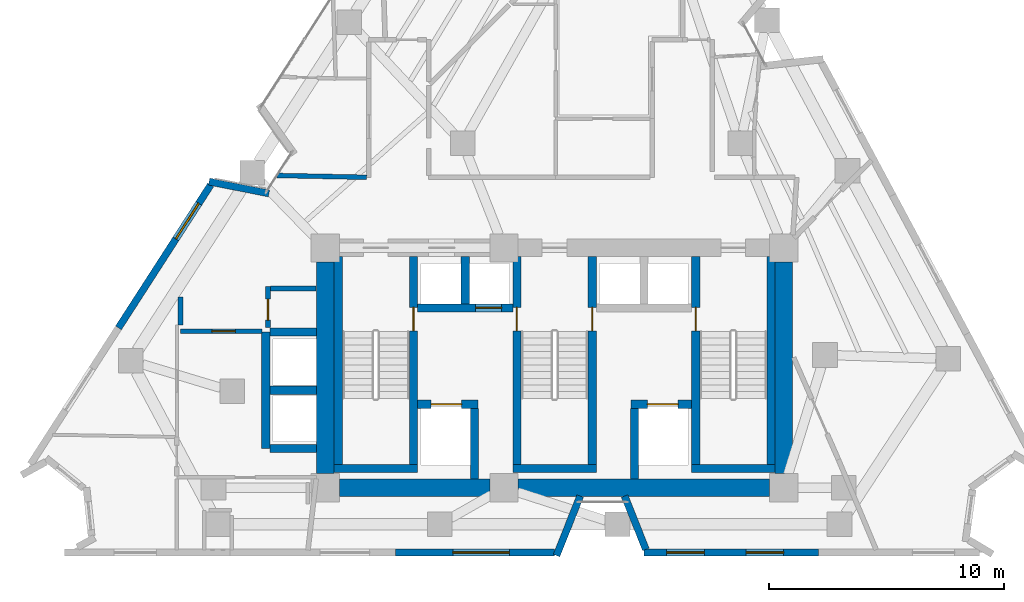
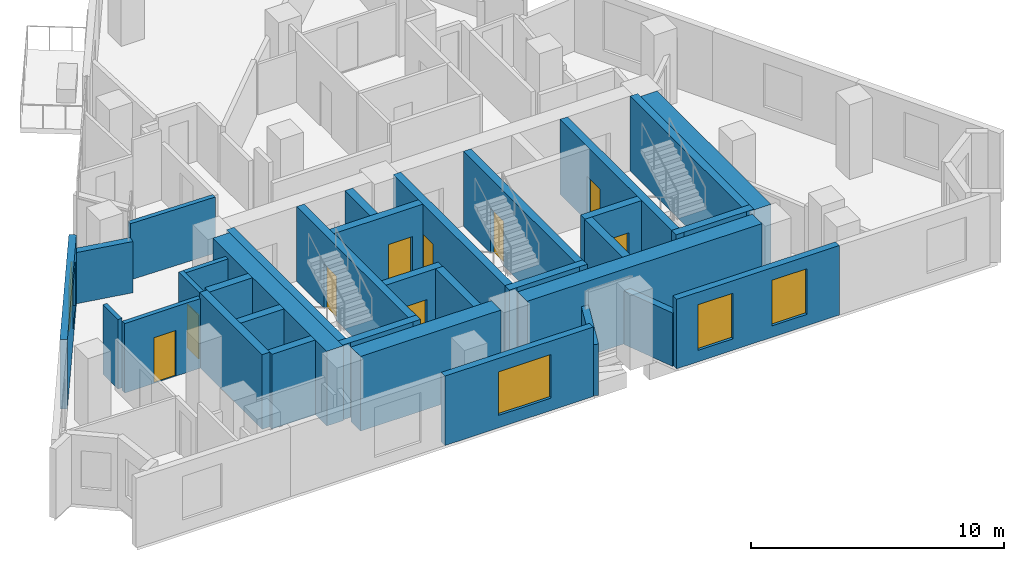
# One storey, part 6 of 10: 34 walls, 9 doors, 4 windows, 13 openings.
"""IFC4 building model written with IfcOpenShell, lengths in metres."""

from ifc_helpers import new_model, si_unit, direction, frame, frame_2d, origin, place, context, subcontext, project, spatial, rectangle, extrude, material, layer, layer_set, type_object, element, fill, save


model = new_model("IFC4")

# Units and contexts
model_context = context("Model", 3, precision=1e-05, world=origin(), true_north=direction((0.0, 1.0)))
body_context = subcontext(model_context, "Body", "Model", "MODEL_VIEW")
ifc_project = project(units=[si_unit("LENGTHUNIT", "METRE"), si_unit("AREAUNIT", "SQUARE_METRE"), si_unit("VOLUMEUNIT", "CUBIC_METRE"), si_unit("PLANEANGLEUNIT", "RADIAN"), si_unit("MASSUNIT", "GRAM", prefix="KILO")], contexts=[model_context])

# Site, building, storey
site_placement = place(None, origin())
site = spatial("IfcSite", under=ifc_project, at=site_placement, CompositionType="ELEMENT")
building_placement = place(site_placement, origin())
building = spatial("IfcBuilding", under=site, at=building_placement, Name="Almagre Mirador Tower", CompositionType="ELEMENT")
storey_placement = place(building_placement, frame((0.0, 0.0, 186.0)))
storey = spatial("IfcBuildingStorey", under=building, at=storey_placement, Name="L48", CompositionType="ELEMENT", Elevation=186.0)

# Wall
ifc_material_1 = material(Name="Precast concrete C50/60", Category="concrete")
ifc_layer_1 = layer(ifc_material_1, 0.300048828125)
ifc_layer_set_1 = layer_set([ifc_layer_1], Name="Precast concrete C50/60")
wall_type_1 = type_object("IfcWallType", Name="WAL-EXT-300", PredefinedType="SOLIDWALL", material=ifc_layer_set_1)
wall_1_placement = place(storey_placement, frame((22.615478515625, 17.568115234375, 0.0), z_axis=(0.0, 0.0, 1.0), x_axis=(0.981152058632, -0.193237257902, 0.0)))
element("IfcWall", 1, at=wall_1_placement, inside=storey, type_object=wall_type_1, Name="L48 expressed almagre precast frame wall 01", PredefinedType="SOLIDWALL", context=body_context, shape_type="SweptSolid", body=[
    extrude(rectangle(XDim=2.59375, YDim=0.300048828125, at=frame_2d((1.296875, 0.0))), origin(), (0.0, 0.0, 1.0), 2.468994140625),
])

# Wall, openings, windows
wall_2_placement = place(storey_placement, frame((48.51806640625, 1.800048828125, 0.0), z_axis=(0.0, 0.0, 1.0), x_axis=(-1.0, 0.0, 0.0)))
wall_2 = element("IfcWall", 2, at=wall_2_placement, inside=storey, type_object=wall_type_1, Name="L48 expressed almagre precast frame wall 21", PredefinedType="SOLIDWALL", context=body_context, shape_type="SweptSolid", body=[
    extrude(rectangle(XDim=7.422119140625, YDim=0.300048828125, at=frame_2d((3.7109375, 0.0))), origin(), (0.0, 0.0, 1.0), 3.35009765625),
])
opening_1_placement = place(wall_2_placement, frame((4.85009765625, 0.0, 0.550048828125)))
opening_1 = element("IfcOpeningElement", 3, at=opening_1_placement, cuts=wall_2, Name="Opening WN-06", PredefinedType="OPENING", context=body_context, shape_type="SweptSolid", body=[
    extrude(rectangle(XDim=1.60009765625, YDim=2.199951171875, at=frame_2d((0.800048828125, 1.10009765625))), frame((0.0, 0.159902, 0.0), z_axis=(0.0, -1.0, 0.0), x_axis=(1.0, 0.0, 0.0)), (0.0, 0.0, 1.0), 0.320049),
])
opening_2_placement = place(wall_2_placement, frame((1.47509765625, 0.0, 0.550048828125)))
opening_2 = element("IfcOpeningElement", 4, at=opening_2_placement, cuts=wall_2, Name="Opening WN-06", PredefinedType="OPENING", context=body_context, shape_type="SweptSolid", body=[
    extrude(rectangle(XDim=1.60009765625, YDim=2.199951171875, at=frame_2d((0.800048828125, 1.10009765625))), frame((0.0, 0.159902, 0.0), z_axis=(0.0, -1.0, 0.0), x_axis=(1.0, 0.0, 0.0)), (0.0, 0.0, 1.0), 0.320049),
])
ifc_material_2 = material(Name="Dark solar-control laminated hurricane glass", Category="glass")
window_type_1 = type_object("IfcWindowType", Name="WIN-1600X2200", PartitioningType="DOUBLE_PANEL_VERTICAL", PredefinedType="WINDOW", material=ifc_material_2)
window_1_placement = place(opening_1_placement, origin())
window_1 = element("IfcWindow", 5, at=window_1_placement, inside=storey, type_object=window_type_1, Name="L48 recessed hurricane window L48-UB-ST", OverallHeight=2.199951171875, OverallWidth=1.60009765625, PartitioningType="SINGLE_PANEL", PredefinedType="WINDOW", context=body_context, shape_type="SweptSolid", body=[
    extrude(rectangle(XDim=1.60009765625, YDim=2.199951171875, at=frame_2d((0.800048828125, 1.10009765625))), frame((0.0, 0.030029296875, 0.0), z_axis=(0.0, -1.0, 0.0), x_axis=(1.0, 0.0, 0.0)), (0.0, 0.0, 1.0), 0.06005859375),
])
fill(opening_1, window_1)
window_2_placement = place(opening_2_placement, origin())
window_2 = element("IfcWindow", 6, at=window_2_placement, inside=storey, type_object=window_type_1, Name="L48 recessed hurricane window L48-UB-KT", OverallHeight=2.199951171875, OverallWidth=1.60009765625, PartitioningType="SINGLE_PANEL", PredefinedType="WINDOW", context=body_context, shape_type="SweptSolid", body=[
    extrude(rectangle(XDim=1.60009765625, YDim=2.199951171875, at=frame_2d((0.800048828125, 1.10009765625))), frame((0.0, 0.030029296875, 0.0), z_axis=(0.0, -1.0, 0.0), x_axis=(1.0, 0.0, 0.0)), (0.0, 0.0, 1.0), 0.06005859375),
])
fill(opening_2, window_2)

# Walls
wall_3_placement = place(storey_placement, frame((41.18408203125, 1.93017578125, 0.0), z_axis=(0.0, 0.0, 1.0), x_axis=(-0.369476217581, 0.929240186734, 0.0)))
element("IfcWall", 7, at=wall_3_placement, inside=storey, type_object=wall_type_1, Name="L48 expressed almagre precast frame wall 22", PredefinedType="SOLIDWALL", context=body_context, shape_type="SweptSolid", body=[
    extrude(rectangle(XDim=2.441650390625, YDim=0.300048828125, at=frame_2d((1.220703125, 0.0))), origin(), (0.0, 0.0, 1.0), 2.574951171875),
])
wall_4_placement = place(storey_placement, frame((38.389892578125, 4.198974609375, 0.0), z_axis=(0.0, 0.0, 1.0), x_axis=(-0.369487569888, -0.929235672851, 0.0)))
element("IfcWall", 8, at=wall_4_placement, inside=storey, type_object=wall_type_1, Name="L48 expressed almagre precast frame wall 23", PredefinedType="SOLIDWALL", context=body_context, shape_type="SweptSolid", body=[
    extrude(rectangle(XDim=2.7216796875, YDim=0.300048828125, at=frame_2d((1.36083984375, 0.0))), origin(), (0.0, 0.0, 1.0), 2.468994140625),
])

# Wall, opening, window
wall_5_placement = place(storey_placement, frame((37.301025390625, 1.800048828125, 0.0), z_axis=(0.0, 0.0, 1.0), x_axis=(-1.0, 0.0, 0.0)))
wall_5 = element("IfcWall", 9, at=wall_5_placement, inside=storey, type_object=wall_type_1, Name="L48 expressed almagre precast frame wall 24", PredefinedType="SOLIDWALL", context=body_context, shape_type="SweptSolid", body=[
    extrude(rectangle(XDim=6.763671875, YDim=0.300048828125, at=frame_2d((3.3818359375, 0.0))), origin(), (0.0, 0.0, 1.0), 3.35009765625),
])
opening_3_placement = place(wall_5_placement, frame((1.925048828125, 0.0, 0.60009765625)))
opening_3 = element("IfcOpeningElement", 10, at=opening_3_placement, cuts=wall_5, Name="Opening WN-02", PredefinedType="OPENING", context=body_context, shape_type="SweptSolid", body=[
    extrude(rectangle(XDim=2.39990234375, YDim=2.10009765625, at=frame_2d((1.199951171875, 1.050048828125))), frame((0.0, 0.159902, 0.0), z_axis=(0.0, -1.0, 0.0), x_axis=(1.0, 0.0, 0.0)), (0.0, 0.0, 1.0), 0.320049),
])
ifc_material_3 = material(Name="Dark solar-control laminated hurricane glass", Category="glass")
window_type_2 = type_object("IfcWindowType", Name="WIN-2400X2100", PartitioningType="TRIPLE_PANEL_VERTICAL", PredefinedType="WINDOW", material=ifc_material_3)
window_3_placement = place(opening_3_placement, origin())
window_3 = element("IfcWindow", 11, at=window_3_placement, inside=storey, type_object=window_type_2, Name="L48 recessed hurricane window L48-UB-ST", OverallHeight=2.10009765625, OverallWidth=2.39990234375, PartitioningType="SINGLE_PANEL", PredefinedType="WINDOW", context=body_context, shape_type="SweptSolid", body=[
    extrude(rectangle(XDim=2.39990234375, YDim=2.10009765625, at=frame_2d((1.199951171875, 1.050048828125))), frame((0.0, 0.030029296875, 0.0), z_axis=(0.0, -1.0, 0.0), x_axis=(1.0, 0.0, 0.0)), (0.0, 0.0, 1.0), 0.06005859375),
])
fill(opening_3, window_3)

wall_6_placement = place(storey_placement, frame((18.760498046875, 11.35107421875, 0.0), z_axis=(0.0, 0.0, 1.0), x_axis=(0.542021503454, 0.840364617172, 0.0)))
wall_6 = element("IfcWall", 12, at=wall_6_placement, inside=storey, type_object=wall_type_1, Name="L48 expressed almagre precast frame wall 32", PredefinedType="SOLIDWALL", context=body_context, shape_type="SweptSolid", body=[
    extrude(rectangle(XDim=7.230712890625, YDim=0.300048828125, at=frame_2d((3.615234375, 0.0))), origin(), (0.0, 0.0, 1.0), 3.35009765625),
])
opening_4_placement = place(wall_6_placement, frame((4.5, 0.0, 0.60009765625)))
opening_4 = element("IfcOpeningElement", 13, at=opening_4_placement, cuts=wall_6, Name="Opening WN-01", PredefinedType="OPENING", context=body_context, shape_type="SweptSolid", body=[
    extrude(rectangle(XDim=1.800048828125, YDim=2.10009765625, at=frame_2d((0.89990234375, 1.050048828125))), frame((0.0, 0.159902, 0.0), z_axis=(0.0, -1.0, 0.0), x_axis=(1.0, 0.0, 0.0)), (0.0, 0.0, 1.0), 0.320049),
])
ifc_material_4 = material(Name="Dark solar-control laminated hurricane glass", Category="glass")
window_type_3 = type_object("IfcWindowType", Name="WIN-1800X2100", PartitioningType="DOUBLE_PANEL_VERTICAL", PredefinedType="WINDOW", material=ifc_material_4)
window_4_placement = place(opening_4_placement, origin())
window_4 = element("IfcWindow", 14, at=window_4_placement, inside=storey, type_object=window_type_3, Name="L48 recessed hurricane window L48-RCOR", OverallHeight=2.10009765625, OverallWidth=1.800048828125, PartitioningType="SINGLE_PANEL", PredefinedType="WINDOW", context=body_context, shape_type="SweptSolid", body=[
    extrude(rectangle(XDim=1.800048828125, YDim=2.10009765625, at=frame_2d((0.89990234375, 1.050048828125))), frame((0.0, 0.030029296875, 0.0), z_axis=(0.0, -1.0, 0.0), x_axis=(1.0, 0.0, 0.0)), (0.0, 0.0, 1.0), 0.06005859375),
])
fill(opening_4, window_4)

# Wall, opening, door
ifc_material_5 = material(Name="Gypsum acoustic stud partition", Category="other")
ifc_layer_2 = layer(ifc_material_5, 0.199951171875)
ifc_layer_set_2 = layer_set([ifc_layer_2], Name="Gypsum acoustic stud partition")
wall_type_2 = type_object("IfcWallType", Name="WAL-PRT-200-EI60", PredefinedType="PARTITIONING", material=ifc_layer_set_2)
wall_7_placement = place(storey_placement, frame((25.1201171875, 11.3701171875, 0.0), z_axis=(0.0, 0.0, 1.0), x_axis=(0.0, 1.0, 0.0)))
wall_7 = element("IfcWall", 15, at=wall_7_placement, inside=storey, type_object=wall_type_2, Name="L48 core ancillary west wall", PredefinedType="PARTITIONING", context=body_context, shape_type="SweptSolid", body=[
    extrude(rectangle(XDim=1.739990234375, YDim=0.199951171875, at=frame_2d((0.8701171875, 0.0))), origin(), (0.0, 0.0, 1.0), 3.35009765625),
])
opening_5_placement = place(wall_7_placement, frame((0.304931640625, 0.0, 0.0)))
opening_5 = element("IfcOpeningElement", 16, at=opening_5_placement, cuts=wall_7, Name="Opening ID-03", PredefinedType="OPENING", context=body_context, shape_type="SweptSolid", body=[
    extrude(rectangle(XDim=0.89990234375, YDim=2.10009765625, at=frame_2d((0.449951171875, 1.050048828125))), frame((0.0, 0.110098, 0.0), z_axis=(0.0, -1.0, 0.0), x_axis=(1.0, 0.0, 0.0)), (0.0, 0.0, 1.0), 0.219951),
])
ifc_material_6 = material(Name="Fire-rated hollow steel", Category="steel")
door_type_1 = type_object("IfcDoorType", Name="DOR-FD60-900X2100", OperationType="NOTDEFINED", PredefinedType="DOOR", material=ifc_material_6)
door_1_placement = place(opening_5_placement, origin())
door_1 = element("IfcDoor", 17, at=door_1_placement, inside=storey, type_object=door_type_1, Name="DR-1511 L48 core ancillary corridor door", OperationType="SINGLE_SWING_RIGHT", OverallHeight=2.10009765625, OverallWidth=0.89990234375, PredefinedType="DOOR", context=body_context, shape_type="SweptSolid", body=[
    extrude(rectangle(XDim=0.89990234375, YDim=2.10009765625, at=frame_2d((0.449951171875, 1.050048828125))), frame((0.0, 0.02490234375, 0.0), z_axis=(0.0, -1.0, 0.0), x_axis=(1.0, 0.0, 0.0)), (0.0, 0.0, 1.0), 0.050048828125),
])
fill(opening_5, door_1)

# Walls
wall_8_placement = place(storey_placement, frame((25.22509765625, 13.02001953125, 0.0), z_axis=(0.0, 0.0, 1.0), x_axis=(1.0, 0.0, 0.0)))
element("IfcWall", 18, at=wall_8_placement, inside=storey, type_object=wall_type_2, Name="L48 core ancillary north wall", PredefinedType="PARTITIONING", context=body_context, shape_type="SweptSolid", body=[
    extrude(rectangle(XDim=1.934814453125, YDim=0.199951171875, at=frame_2d((0.96728515625, 0.0))), origin(), (0.0, 0.0, 1.0), 3.35009765625),
])
wall_9_placement = place(storey_placement, frame((21.39990234375, 12.659912109375, 0.0), z_axis=(0.0, 0.0, 1.0), x_axis=(0.0, -1.0, 0.0)))
element("IfcWall", 19, at=wall_9_placement, inside=storey, type_object=wall_type_2, Name="L48 interior partition 001", PredefinedType="PARTITIONING", context=body_context, shape_type="SweptSolid", body=[
    extrude(rectangle(XDim=1.18994140625, YDim=0.199951171875, at=frame_2d((0.594970703125, 0.0))), origin(), (0.0, 0.0, 1.0), 3.35009765625),
])

# Wall, opening, door
wall_10_placement = place(storey_placement, frame((21.39990234375, 11.199951171875, 0.0), z_axis=(0.0, 0.0, 1.0), x_axis=(1.0, 0.0, 0.0)))
wall_10 = element("IfcWall", 20, at=wall_10_placement, inside=storey, type_object=wall_type_2, Name="L48 interior partition 002", PredefinedType="PARTITIONING", context=body_context, shape_type="SweptSolid", body=[
    extrude(rectangle(XDim=3.46923828125, YDim=0.199951171875, at=frame_2d((1.734619140625, 0.0))), origin(), (0.0, 0.0, 1.0), 3.35009765625),
])
opening_6_placement = place(wall_10_placement, frame((1.334716796875, 0.0, 0.0)))
opening_6 = element("IfcOpeningElement", 21, at=opening_6_placement, cuts=wall_10, Name="Opening ID-01", PredefinedType="OPENING", context=body_context, shape_type="SweptSolid", body=[
    extrude(rectangle(XDim=1.0, YDim=2.199951171875, at=frame_2d((0.5, 1.10009765625))), frame((0.0, 0.110098, 0.0), z_axis=(0.0, -1.0, 0.0), x_axis=(1.0, 0.0, 0.0)), (0.0, 0.0, 1.0), 0.219951),
])
ifc_material_7 = material(Name="Fire-rated walnut timber", Category="wood")
door_type_2 = type_object("IfcDoorType", Name="DOR-FD60-1000X2200", OperationType="NOTDEFINED", PredefinedType="DOOR", material=ifc_material_7)
door_2_placement = place(opening_6_placement, origin())
door_2 = element("IfcDoor", 22, at=door_2_placement, inside=storey, type_object=door_type_2, Name="DR-1517 L48 interior door L48-RCOR to L48-UA-LV", OperationType="SINGLE_SWING_LEFT", OverallHeight=2.199951171875, OverallWidth=1.0, PredefinedType="DOOR", context=body_context, shape_type="SweptSolid", body=[
    extrude(rectangle(XDim=1.0, YDim=2.199951171875, at=frame_2d((0.5, 1.10009765625))), frame((0.0, 0.02490234375, 0.0), z_axis=(0.0, -1.0, 0.0), x_axis=(1.0, 0.0, 0.0)), (0.0, 0.0, 1.0), 0.050048828125),
])
fill(opening_6, door_2)

# Walls
wall_11_placement = place(storey_placement, frame((29.31494140625, 17.751708984375, 0.0), z_axis=(0.0, 0.0, 1.0), x_axis=(-0.999794603853, 0.020266970803, 0.0)))
element("IfcWall", 23, at=wall_11_placement, inside=storey, type_object=wall_type_2, Name="L48 interior partition 004", PredefinedType="PARTITIONING", context=body_context, shape_type="SweptSolid", body=[
    extrude(rectangle(XDim=3.818603515625, YDim=0.199951171875, at=frame_2d((1.9091796875, 0.0))), origin(), (0.0, 0.0, 1.0), 2.708984375),
])
ifc_material_8 = material(Name="Concrete C60/75", Category="concrete")
ifc_layer_3 = layer(ifc_material_8, 0.35009765625)
ifc_layer_set_3 = layer_set([ifc_layer_3], Name="Concrete C60/75")
wall_type_3 = type_object("IfcWallType", Name="WAL-SHF-350", PredefinedType="SOLIDWALL", material=ifc_layer_set_3)
wall_12_placement = place(storey_placement, frame((28.10009765625, 5.199951171875, 0.0), z_axis=(0.0, 0.0, 1.0), x_axis=(0.0, 1.0, 0.0)))
element("IfcWall", 24, at=wall_12_placement, inside=storey, type_object=wall_type_3, Name="L48 shaft wall ST1-W", PredefinedType="SOLIDWALL", context=body_context, shape_type="SweptSolid", body=[
    extrude(rectangle(XDim=9.175048828125, YDim=0.35009765625, at=frame_2d((4.58740234375, 0.0))), origin(), (0.0, 0.0, 1.0), 3.60009765625),
])

# Wall, opening, door
wall_13_placement = place(storey_placement, frame((31.300048828125, 5.199951171875, 0.0), z_axis=(0.0, 0.0, 1.0), x_axis=(0.0, 1.0, 0.0)))
wall_13 = element("IfcWall", 25, at=wall_13_placement, inside=storey, type_object=wall_type_3, Name="L48 shaft wall ST1-E", PredefinedType="SOLIDWALL", context=body_context, shape_type="SweptSolid", body=[
    extrude(rectangle(XDim=9.175048828125, YDim=0.35009765625, at=frame_2d((4.58740234375, 0.0))), origin(), (0.0, 0.0, 1.0), 3.60009765625),
])
opening_7_placement = place(wall_13_placement, frame((6.02001953125, 0.0, 0.0)))
opening_7 = element("IfcOpeningElement", 26, at=opening_7_placement, cuts=wall_13, Name="Opening FD-01", PredefinedType="OPENING", context=body_context, shape_type="SweptSolid", body=[
    extrude(rectangle(XDim=1.0, YDim=2.14990234375, at=frame_2d((0.5, 1.074951171875))), frame((0.0, 0.185049, 0.0), z_axis=(0.0, -1.0, 0.0), x_axis=(1.0, 0.0, 0.0)), (0.0, 0.0, 1.0), 0.370098),
])
ifc_material_9 = material(Name="Fire-rated hollow steel", Category="steel")
door_type_3 = type_object("IfcDoorType", Name="DOR-FFL-1000X2150", OperationType="NOTDEFINED", PredefinedType="DOOR", material=ifc_material_9)
door_3_placement = place(opening_7_placement, origin())
door_3 = element("IfcDoor", 27, at=door_3_placement, inside=storey, type_object=door_type_3, Name="DR-1512 L48 FFL1-ST1 smokeproof door", OperationType="SINGLE_SWING_RIGHT", OverallHeight=2.14990234375, OverallWidth=1.0, PredefinedType="DOOR", context=body_context, shape_type="SweptSolid", body=[
    extrude(rectangle(XDim=1.0, YDim=2.14990234375, at=frame_2d((0.5, 1.074951171875))), frame((0.0, 0.02490234375, 0.0), z_axis=(0.0, -1.0, 0.0), x_axis=(1.0, 0.0, 0.0)), (0.0, 0.0, 1.0), 0.050048828125),
])
fill(opening_7, door_3)

# Wall
wall_14_placement = place(storey_placement, frame((27.925048828125, 5.375, 0.0), z_axis=(0.0, 0.0, 1.0), x_axis=(1.0, 0.0, 0.0)))
element("IfcWall", 28, at=wall_14_placement, inside=storey, type_object=wall_type_3, Name="L48 shaft wall ST1-S", PredefinedType="SOLIDWALL", context=body_context, shape_type="SweptSolid", body=[
    extrude(rectangle(XDim=3.550048828125, YDim=0.35009765625, at=frame_2d((1.77490234375, 0.0))), origin(), (0.0, 0.0, 1.0), 3.60009765625),
])

# Wall, opening, door
wall_15_placement = place(storey_placement, frame((35.699951171875, 5.199951171875, 0.0), z_axis=(0.0, 0.0, 1.0), x_axis=(0.0, 1.0, 0.0)))
wall_15 = element("IfcWall", 29, at=wall_15_placement, inside=storey, type_object=wall_type_3, Name="L48 shaft wall ST2-W", PredefinedType="SOLIDWALL", context=body_context, shape_type="SweptSolid", body=[
    extrude(rectangle(XDim=9.175048828125, YDim=0.35009765625, at=frame_2d((4.58740234375, 0.0))), origin(), (0.0, 0.0, 1.0), 3.60009765625),
])
opening_8_placement = place(wall_15_placement, frame((6.02001953125, 0.0, 0.0)))
opening_8 = element("IfcOpeningElement", 30, at=opening_8_placement, cuts=wall_15, Name="Opening FD-01", PredefinedType="OPENING", context=body_context, shape_type="SweptSolid", body=[
    extrude(rectangle(XDim=1.0, YDim=2.14990234375, at=frame_2d((0.5, 1.074951171875))), frame((0.0, 0.185049, 0.0), z_axis=(0.0, -1.0, 0.0), x_axis=(1.0, 0.0, 0.0)), (0.0, 0.0, 1.0), 0.370098),
])
door_4_placement = place(opening_8_placement, origin())
door_4 = element("IfcDoor", 31, at=door_4_placement, inside=storey, type_object=door_type_3, Name="DR-1513 L48 FFL1-ST2 smokeproof door", OperationType="SINGLE_SWING_LEFT", OverallHeight=2.14990234375, OverallWidth=1.0, PredefinedType="DOOR", context=body_context, shape_type="SweptSolid", body=[
    extrude(rectangle(XDim=1.0, YDim=2.14990234375, at=frame_2d((0.5, 1.074951171875))), frame((0.0, 0.02490234375, 0.0), z_axis=(0.0, -1.0, 0.0), x_axis=(1.0, 0.0, 0.0)), (0.0, 0.0, 1.0), 0.050048828125),
])
fill(opening_8, door_4)

wall_16_placement = place(storey_placement, frame((38.89990234375, 5.199951171875, 0.0), z_axis=(0.0, 0.0, 1.0), x_axis=(0.0, 1.0, 0.0)))
wall_16 = element("IfcWall", 32, at=wall_16_placement, inside=storey, type_object=wall_type_3, Name="L48 shaft wall ST2-E", PredefinedType="SOLIDWALL", context=body_context, shape_type="SweptSolid", body=[
    extrude(rectangle(XDim=9.175048828125, YDim=0.35009765625, at=frame_2d((4.58740234375, 0.0))), origin(), (0.0, 0.0, 1.0), 3.60009765625),
])
opening_9_placement = place(wall_16_placement, frame((6.02001953125, 0.0, 0.0)))
opening_9 = element("IfcOpeningElement", 33, at=opening_9_placement, cuts=wall_16, Name="Opening FD-01", PredefinedType="OPENING", context=body_context, shape_type="SweptSolid", body=[
    extrude(rectangle(XDim=1.0, YDim=2.14990234375, at=frame_2d((0.5, 1.074951171875))), frame((0.0, 0.185049, 0.0), z_axis=(0.0, -1.0, 0.0), x_axis=(1.0, 0.0, 0.0)), (0.0, 0.0, 1.0), 0.370098),
])
door_5_placement = place(opening_9_placement, origin())
door_5 = element("IfcDoor", 34, at=door_5_placement, inside=storey, type_object=door_type_3, Name="DR-1514 L48 FFL2-ST2 smokeproof door", OperationType="SINGLE_SWING_RIGHT", OverallHeight=2.14990234375, OverallWidth=1.0, PredefinedType="DOOR", context=body_context, shape_type="SweptSolid", body=[
    extrude(rectangle(XDim=1.0, YDim=2.14990234375, at=frame_2d((0.5, 1.074951171875))), frame((0.0, 0.02490234375, 0.0), z_axis=(0.0, -1.0, 0.0), x_axis=(1.0, 0.0, 0.0)), (0.0, 0.0, 1.0), 0.050048828125),
])
fill(opening_9, door_5)

# Wall
wall_17_placement = place(storey_placement, frame((35.52490234375, 5.375, 0.0), z_axis=(0.0, 0.0, 1.0), x_axis=(1.0, 0.0, 0.0)))
element("IfcWall", 35, at=wall_17_placement, inside=storey, type_object=wall_type_3, Name="L48 shaft wall ST2-S", PredefinedType="SOLIDWALL", context=body_context, shape_type="SweptSolid", body=[
    extrude(rectangle(XDim=3.550048828125, YDim=0.35009765625, at=frame_2d((1.77490234375, 0.0))), origin(), (0.0, 0.0, 1.0), 3.60009765625),
])

# Wall, opening, door
wall_18_placement = place(storey_placement, frame((43.300048828125, 5.199951171875, 0.0), z_axis=(0.0, 0.0, 1.0), x_axis=(0.0, 1.0, 0.0)))
wall_18 = element("IfcWall", 36, at=wall_18_placement, inside=storey, type_object=wall_type_3, Name="L48 shaft wall ST3-W", PredefinedType="SOLIDWALL", context=body_context, shape_type="SweptSolid", body=[
    extrude(rectangle(XDim=9.175048828125, YDim=0.35009765625, at=frame_2d((4.58740234375, 0.0))), origin(), (0.0, 0.0, 1.0), 3.60009765625),
])
opening_10_placement = place(wall_18_placement, frame((6.02001953125, 0.0, 0.0)))
opening_10 = element("IfcOpeningElement", 37, at=opening_10_placement, cuts=wall_18, Name="Opening FD-01", PredefinedType="OPENING", context=body_context, shape_type="SweptSolid", body=[
    extrude(rectangle(XDim=1.0, YDim=2.14990234375, at=frame_2d((0.5, 1.074951171875))), frame((0.0, 0.185049, 0.0), z_axis=(0.0, -1.0, 0.0), x_axis=(1.0, 0.0, 0.0)), (0.0, 0.0, 1.0), 0.370098),
])
door_6_placement = place(opening_10_placement, origin())
door_6 = element("IfcDoor", 38, at=door_6_placement, inside=storey, type_object=door_type_3, Name="DR-1515 L48 FFL2-ST3 smokeproof door", OperationType="SINGLE_SWING_LEFT", OverallHeight=2.14990234375, OverallWidth=1.0, PredefinedType="DOOR", context=body_context, shape_type="SweptSolid", body=[
    extrude(rectangle(XDim=1.0, YDim=2.14990234375, at=frame_2d((0.5, 1.074951171875))), frame((0.0, 0.02490234375, 0.0), z_axis=(0.0, -1.0, 0.0), x_axis=(1.0, 0.0, 0.0)), (0.0, 0.0, 1.0), 0.050048828125),
])
fill(opening_10, door_6)

# Walls
wall_19_placement = place(storey_placement, frame((46.5, 5.199951171875, 0.0), z_axis=(0.0, 0.0, 1.0), x_axis=(0.0, 1.0, 0.0)))
element("IfcWall", 39, at=wall_19_placement, inside=storey, type_object=wall_type_3, Name="L48 shaft wall ST3-E", PredefinedType="SOLIDWALL", context=body_context, shape_type="SweptSolid", body=[
    extrude(rectangle(XDim=9.175048828125, YDim=0.35009765625, at=frame_2d((4.58740234375, 0.0))), origin(), (0.0, 0.0, 1.0), 3.60009765625),
])
wall_20_placement = place(storey_placement, frame((43.125, 5.375, 0.0), z_axis=(0.0, 0.0, 1.0), x_axis=(1.0, 0.0, 0.0)))
element("IfcWall", 40, at=wall_20_placement, inside=storey, type_object=wall_type_3, Name="L48 shaft wall ST3-S", PredefinedType="SOLIDWALL", context=body_context, shape_type="SweptSolid", body=[
    extrude(rectangle(XDim=3.550048828125, YDim=0.35009765625, at=frame_2d((1.77490234375, 0.0))), origin(), (0.0, 0.0, 1.0), 3.60009765625),
])

# Wall, opening, door
wall_21_placement = place(storey_placement, frame((31.47509765625, 8.10009765625, 0.0), z_axis=(0.0, 0.0, 1.0), x_axis=(1.0, 0.0, 0.0)))
wall_21 = element("IfcWall", 41, at=wall_21_placement, inside=storey, type_object=wall_type_3, Name="L48 shaft wall FSAE1-N", PredefinedType="SOLIDWALL", context=body_context, shape_type="SweptSolid", body=[
    extrude(rectangle(XDim=2.574951171875, YDim=0.35009765625, at=frame_2d((1.28759765625, 0.0))), origin(), (0.0, 0.0, 1.0), 3.60009765625),
])
opening_11_placement = place(wall_21_placement, frame((0.574951171875, 0.0, 0.0)))
opening_11 = element("IfcOpeningElement", 42, at=opening_11_placement, cuts=wall_21, Name="Opening LD-03", PredefinedType="OPENING", context=body_context, shape_type="SweptSolid", body=[
    extrude(rectangle(XDim=1.300048828125, YDim=2.25, at=frame_2d((0.64990234375, 1.125))), frame((0.0, 0.185049, 0.0), z_axis=(0.0, -1.0, 0.0), x_axis=(1.0, 0.0, 0.0)), (0.0, 0.0, 1.0), 0.370098),
])
ifc_material_10 = material(Name="Hollow stainless steel", Category="steel")
door_type_4 = type_object("IfcDoorType", Name="DOR-LD-1300X2250", OperationType="DOUBLE_DOOR_SLIDING", PredefinedType="DOOR", material=ifc_material_10)
door_7_placement = place(opening_11_placement, origin())
door_7 = element("IfcDoor", 43, at=door_7_placement, inside=storey, type_object=door_type_4, Name="DR-1532 L48 FSAE-1 lift landing door", OperationType="DOUBLE_DOOR_SLIDING", OverallHeight=2.25, OverallWidth=1.300048828125, PredefinedType="DOOR", context=body_context, shape_type="SweptSolid", body=[
    extrude(rectangle(XDim=1.300048828125, YDim=2.25, at=frame_2d((0.64990234375, 1.125))), frame((0.0, 0.02490234375, 0.0), z_axis=(0.0, -1.0, 0.0), x_axis=(1.0, 0.0, 0.0)), (0.0, 0.0, 1.0), 0.050048828125),
])
fill(opening_11, door_7)

wall_22_placement = place(storey_placement, frame((40.550048828125, 8.10009765625, 0.0), z_axis=(0.0, 0.0, 1.0), x_axis=(1.0, 0.0, 0.0)))
wall_22 = element("IfcWall", 44, at=wall_22_placement, inside=storey, type_object=wall_type_3, Name="L48 shaft wall FSAE2-N", PredefinedType="SOLIDWALL", context=body_context, shape_type="SweptSolid", body=[
    extrude(rectangle(XDim=2.574951171875, YDim=0.35009765625, at=frame_2d((1.28759765625, 0.0))), origin(), (0.0, 0.0, 1.0), 3.60009765625),
])
opening_12_placement = place(wall_22_placement, frame((0.699951171875, 0.0, 0.0)))
opening_12 = element("IfcOpeningElement", 45, at=opening_12_placement, cuts=wall_22, Name="Opening LD-03", PredefinedType="OPENING", context=body_context, shape_type="SweptSolid", body=[
    extrude(rectangle(XDim=1.300048828125, YDim=2.25, at=frame_2d((0.64990234375, 1.125))), frame((0.0, 0.185049, 0.0), z_axis=(0.0, -1.0, 0.0), x_axis=(1.0, 0.0, 0.0)), (0.0, 0.0, 1.0), 0.370098),
])
door_8_placement = place(opening_12_placement, origin())
door_8 = element("IfcDoor", 46, at=door_8_placement, inside=storey, type_object=door_type_4, Name="DR-1533 L48 FSAE-2 lift landing door", OperationType="DOUBLE_DOOR_SLIDING", OverallHeight=2.25, OverallWidth=1.300048828125, PredefinedType="DOOR", context=body_context, shape_type="SweptSolid", body=[
    extrude(rectangle(XDim=1.300048828125, YDim=2.25, at=frame_2d((0.64990234375, 1.125))), frame((0.0, 0.02490234375, 0.0), z_axis=(0.0, -1.0, 0.0), x_axis=(1.0, 0.0, 0.0)), (0.0, 0.0, 1.0), 0.050048828125),
])
fill(opening_12, door_8)

# Walls
for number, where, z_axis, x_axis, name in (
    (47, (33.89990234375, 4.925048828125, 0.0), (0.0, 0.0, 1.0), (0.0, 1.0, 0.0), "L48 shaft wall FSAE1-E"),
    (48, (40.699951171875, 4.925048828125, 0.0), (0.0, 0.0, 1.0), (0.0, 1.0, 0.0), "L48 shaft wall FSAE2-W"),
):
    element("IfcWall", number, at=place(storey_placement, frame(where, z_axis=z_axis, x_axis=x_axis)), inside=storey, type_object=wall_type_3, Name=name, PredefinedType="SOLIDWALL", context=body_context, shape_type="SweptSolid", body=[
        extrude(rectangle(XDim=3.0, YDim=0.35009765625, at=frame_2d((1.5, 0.0))), origin(), (0.0, 0.0, 1.0), 3.60009765625),
    ])

# Wall, opening, door
wall_23_placement = place(storey_placement, frame((31.47509765625, 12.199951171875, 0.0), z_axis=(0.0, 0.0, 1.0), x_axis=(1.0, 0.0, 0.0)))
wall_23 = element("IfcWall", 49, at=wall_23_placement, inside=storey, type_object=wall_type_3, Name="L48 shaft wall PLM-S", PredefinedType="SOLIDWALL", context=body_context, shape_type="SweptSolid", body=[
    extrude(rectangle(XDim=4.0498046875, YDim=0.35009765625, at=frame_2d((2.02490234375, 0.0))), origin(), (0.0, 0.0, 1.0), 3.60009765625),
])
opening_13_placement = place(wall_23_placement, frame((2.47509765625, 0.0, 0.0)))
opening_13 = element("IfcOpeningElement", 50, at=opening_13_placement, cuts=wall_23, Name="Opening LD-01", PredefinedType="OPENING", context=body_context, shape_type="SweptSolid", body=[
    extrude(rectangle(XDim=1.10009765625, YDim=2.199951171875, at=frame_2d((0.550048828125, 1.10009765625))), frame((0.0, 0.185049, 0.0), z_axis=(0.0, -1.0, 0.0), x_axis=(1.0, 0.0, 0.0)), (0.0, 0.0, 1.0), 0.370098),
])
ifc_material_11 = material(Name="Hollow stainless steel", Category="steel")
door_type_5 = type_object("IfcDoorType", Name="DOR-LD-1100X2200", OperationType="DOUBLE_DOOR_SLIDING", PredefinedType="DOOR", material=ifc_material_11)
door_9_placement = place(opening_13_placement, origin())
door_9 = element("IfcDoor", 51, at=door_9_placement, inside=storey, type_object=door_type_5, Name="DR-1535 L48 PL-M2 lift landing door", OperationType="DOUBLE_DOOR_SLIDING", OverallHeight=2.199951171875, OverallWidth=1.10009765625, PredefinedType="DOOR", context=body_context, shape_type="SweptSolid", body=[
    extrude(rectangle(XDim=1.10009765625, YDim=2.199951171875, at=frame_2d((0.550048828125, 1.10009765625))), frame((0.0, 0.02490234375, 0.0), z_axis=(0.0, -1.0, 0.0), x_axis=(1.0, 0.0, 0.0)), (0.0, 0.0, 1.0), 0.050048828125),
])
fill(opening_13, door_9)

# Walls
wall_24_placement = place(storey_placement, frame((33.5, 12.375, 0.0), z_axis=(0.0, 0.0, 1.0), x_axis=(0.0, 1.0, 0.0)))
element("IfcWall", 52, at=wall_24_placement, inside=storey, type_object=wall_type_3, Name="L48 shaft wall PLM-M", PredefinedType="SOLIDWALL", context=body_context, shape_type="SweptSolid", body=[
    extrude(rectangle(XDim=2.0, YDim=0.35009765625, at=frame_2d((1.0, 0.0))), origin(), (0.0, 0.0, 1.0), 3.60009765625),
])
wall_25_placement = place(storey_placement, frame((25.02490234375, 6.22509765625, 0.0), z_axis=(0.0, 0.0, 1.0), x_axis=(0.0, 1.0, 0.0)))
element("IfcWall", 53, at=wall_25_placement, inside=storey, type_object=wall_type_3, Name="L48 shaft wall OL-W", PredefinedType="SOLIDWALL", context=body_context, shape_type="SweptSolid", body=[
    extrude(rectangle(XDim=4.949951171875, YDim=0.35009765625, at=frame_2d((2.47509765625, 0.0))), origin(), (0.0, 0.0, 1.0), 3.60009765625),
])
for number, where, z_axis, x_axis, name in (
    (54, (25.199951171875, 6.22509765625, 0.0), (0.0, 0.0, 1.0), (1.0, 0.0, 0.0), "L48 shaft wall OL-S"),
    (55, (25.199951171875, 8.699951171875, 0.0), (0.0, 0.0, 1.0), (1.0, 0.0, 0.0), "L48 shaft wall OL-M"),
    (56, (25.199951171875, 11.175048828125, 0.0), (0.0, 0.0, 1.0), (1.0, 0.0, 0.0), "L48 shaft wall OL-N"),
):
    element("IfcWall", number, at=place(storey_placement, frame(where, z_axis=z_axis, x_axis=x_axis)), inside=storey, type_object=wall_type_3, Name=name, PredefinedType="SOLIDWALL", context=body_context, shape_type="SweptSolid", body=[
        extrude(rectangle(XDim=1.97509765625, YDim=0.35009765625, at=frame_2d((0.987548828125, 0.0))), origin(), (0.0, 0.0, 1.0), 3.60009765625),
    ])
ifc_material_12 = material(Name="Concrete C60/75", Category="concrete")
ifc_layer_4 = layer(ifc_material_12, 0.75)
ifc_layer_set_4 = layer_set([ifc_layer_4], Name="Concrete C60/75")
wall_type_4 = type_object("IfcWallType", Name="WAL-SHR-750", PredefinedType="SHEAR", material=ifc_layer_set_4)
wall_26_placement = place(storey_placement, frame((28.14990234375, 4.550048828125, 0.0), z_axis=(0.0, 0.0, 1.0), x_axis=(1.0, 0.0, 0.0)))
element("IfcWall", 57, at=wall_26_placement, inside=storey, type_object=wall_type_4, Name="L48 core shear wall S1", PredefinedType="SHEAR", context=body_context, shape_type="SweptSolid", body=[
    extrude(rectangle(XDim=6.400146484375, YDim=0.75, at=frame_2d((3.2001953125, 0.0))), origin(), (0.0, 0.0, 1.0), 3.60009765625),
])
wall_27_placement = place(storey_placement, frame((35.75, 4.550048828125, 0.0), z_axis=(0.0, 0.0, 1.0), x_axis=(1.0, 0.0, 0.0)))
element("IfcWall", 58, at=wall_27_placement, inside=storey, type_object=wall_type_4, Name="L48 core shear wall S2", PredefinedType="SHEAR", context=body_context, shape_type="SweptSolid", body=[
    extrude(rectangle(XDim=10.699951171875, YDim=0.75, at=frame_2d((5.35009765625, 0.0))), origin(), (0.0, 0.0, 1.0), 3.60009765625),
])
for number, where, z_axis, x_axis, name in (
    (59, (27.550048828125, 5.14990234375, 0.0), (0.0, 0.0, 1.0), (0.0, 1.0, 0.0), "L48 core shear wall W1"),
    (60, (47.050048828125, 5.14990234375, 0.0), (0.0, 0.0, 1.0), (0.0, 1.0, 0.0), "L48 core shear wall E1"),
):
    element("IfcWall", number, at=place(storey_placement, frame(where, z_axis=z_axis, x_axis=x_axis)), inside=storey, type_object=wall_type_4, Name=name, PredefinedType="SHEAR", context=body_context, shape_type="SweptSolid", body=[
        extrude(rectangle(XDim=9.0, YDim=0.75, at=frame_2d((4.5, 0.0))), origin(), (0.0, 0.0, 1.0), 3.60009765625),
    ])

save(model, "model.ifc")
